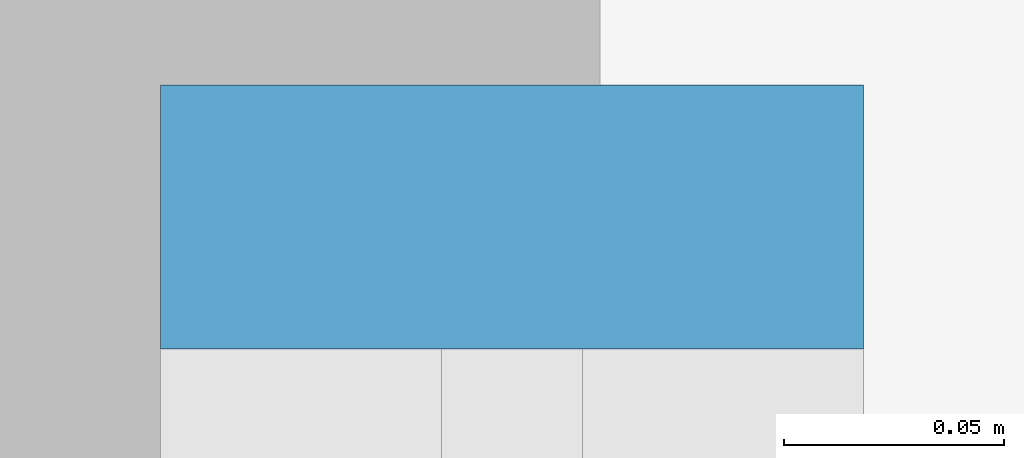
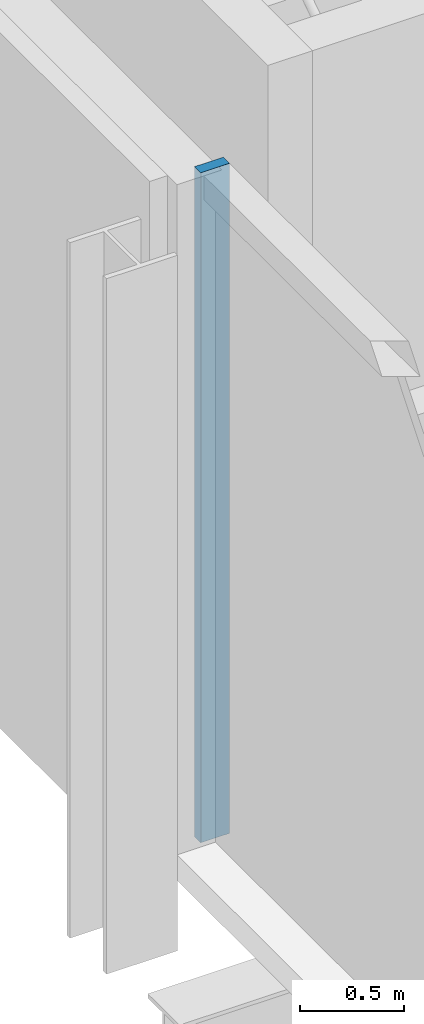
# One storey, part 9 of 33: 1 member, 1 element without a shape of its own.
"""IFC4 building model written with IfcOpenShell, lengths in metres."""

from ifc_helpers import new_model, si_unit, direction, frame, origin, origin_2d, place, context, subcontext, project, spatial, rectangle, extrude, material, material_profile, profile_set, type_object, element, aggregate, save


model = new_model("IFC4")

# Units and contexts
model_context = context("Model", 3, precision=1e-05, world=origin(), true_north=direction((0.0, 1.0)))
body_context = subcontext(model_context, "Body", "Model", "MODEL_VIEW")
ifc_project = project(units=[si_unit("LENGTHUNIT", "METRE"), si_unit("AREAUNIT", "SQUARE_METRE"), si_unit("VOLUMEUNIT", "CUBIC_METRE"), si_unit("PLANEANGLEUNIT", "RADIAN"), si_unit("MASSUNIT", "GRAM", prefix="KILO")], contexts=[model_context])

# Site, building, storey
site_placement = place(None, origin())
site = spatial("IfcSite", under=ifc_project, at=site_placement, CompositionType="ELEMENT")
building_placement = place(site_placement, origin())
building = spatial("IfcBuilding", under=site, at=building_placement, Name="Bicima Exchange Tower", CompositionType="ELEMENT")
storey_placement = place(building_placement, frame((0.0, 0.0, 140.39990234375)))
storey = spatial("IfcBuildingStorey", under=building, at=storey_placement, Name="L30", CompositionType="ELEMENT", Elevation=140.39990234375)

# Curtain wall, member
ifc_material = material(Name="Anodised bronze aluminium", Category="aluminium")
curtain_wall_type = type_object("IfcCurtainWallType", Name="End face glass wall", PredefinedType="NOTDEFINED", material=ifc_material)
curtain_wall_placement = place(storey_placement, origin())
curtain_wall = element("IfcCurtainWall", 1, at=curtain_wall_placement, inside=storey, type_object=curtain_wall_type, Name="End face glass wall L30 run 6", PredefinedType="NOTDEFINED")
ifc_material_profile = material_profile(ifc_material, rectangle(XDim=0.159912109375, YDim=0.06005859375, at=origin_2d()))
ifc_profile_set = profile_set([ifc_material_profile], Name="Anodised bronze aluminium")
member_type = type_object("IfcMemberType", Name="End face glass wall mullion 60 x 160", PredefinedType="MULLION", material=ifc_profile_set)
member_placement = place(storey_placement, frame((-32.77001953125, -12.030029296875, 0.0), z_axis=(0.0, 0.0, 1.0), x_axis=(1.0, 0.0, 0.0)))
member = element("IfcMember", 2, at=member_placement, type_object=member_type, Name="End face glass wall mullion 1", PredefinedType="MULLION", context=body_context, shape_type="SweptSolid", body=[
    extrude(rectangle(XDim=0.159912109375, YDim=0.06005859375, at=origin_2d()), origin(), (0.0, 0.0, 1.0), 3.9501953125),
])
aggregate(curtain_wall, [member])

save(model, "model.ifc")
